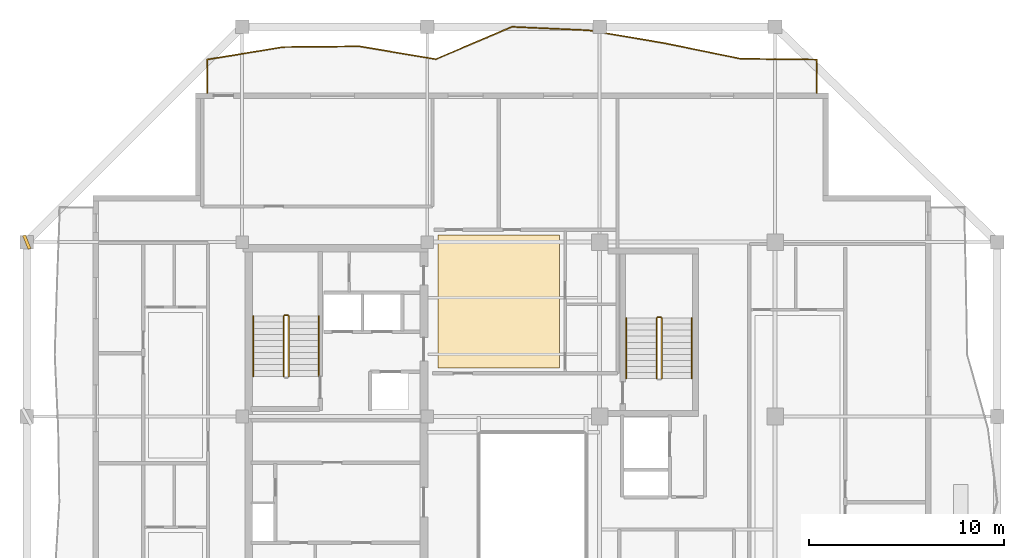
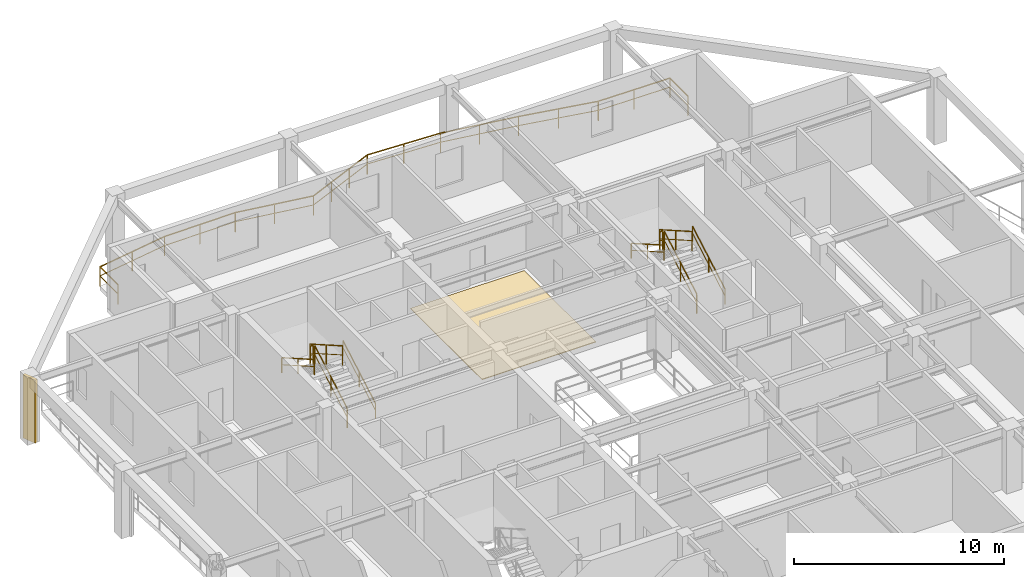
# One storey, part 10 of 11: 11 railings, 1 covering, 1 shading device.
"""IFC4 building model written with IfcOpenShell, lengths in metres."""

from ifc_helpers import new_model, si_unit, direction, frame, origin, origin_2d, place, context, subcontext, project, spatial, polyline, rectangle, outline, extrude, material, layer, layer_set, type_object, element, save


model = new_model("IFC4")

# Units and contexts
model_context = context("Model", 3, precision=1e-05, world=origin(), true_north=direction((0.0, 1.0)))
body_context = subcontext(model_context, "Body", "Model", "MODEL_VIEW")
ifc_project = project(units=[si_unit("LENGTHUNIT", "METRE"), si_unit("AREAUNIT", "SQUARE_METRE"), si_unit("VOLUMEUNIT", "CUBIC_METRE"), si_unit("PLANEANGLEUNIT", "RADIAN"), si_unit("MASSUNIT", "GRAM", prefix="KILO")], contexts=[model_context])

# Site, building, storey
site_placement = place(None, origin())
site = spatial("IfcSite", under=ifc_project, at=site_placement, CompositionType="ELEMENT")
building_placement = place(site_placement, origin())
building = spatial("IfcBuilding", under=site, at=building_placement, Name="Kundavana Baori Tower", CompositionType="ELEMENT")
storey_placement = place(building_placement, frame((0.0, 0.0, 253.10009765625)))
storey = spatial("IfcBuildingStorey", under=building, at=storey_placement, Name="L62", CompositionType="ELEMENT", Elevation=253.10009765625)

# Covering
ifc_material_1 = material(Name="Honed Kota Stone and Terrazzo Flooring", Category="masonry")
ifc_layer = layer(ifc_material_1, 0.0400390625, Name="COV-FLR-TERR-40")
ifc_layer_set = layer_set([ifc_layer], Name="Honed Kota Stone and Terrazzo Flooring")
covering_type = type_object("IfcCoveringType", Name="COV-FLR-TERR-40", PredefinedType="FLOORING", material=ifc_layer_set)
covering_placement = place(storey_placement, origin())
element("IfcCovering", 1, at=covering_placement, inside=storey, type_object=covering_type, Name="L62 Room Finished Stone Flooring 4", PredefinedType="FLOORING", context=body_context, shape_type="SweptSolid", body=[
    extrude(outline(polyline([(25.5, 35.5), (31.75, 35.5), (31.75, 42.31005859375), (25.5, 42.31005859375), (25.5, 35.5)])), origin(), (0.0, 0.0, 1.0), 0.039794921875),
])

# Railings
ifc_material_2 = material(Name="Architectural Patinated Bronze Metalwork")
railing_type_1 = type_object("IfcRailingType", Name="RL-BAL-1150", PredefinedType="BALUSTRADE", material=ifc_material_2)
railing_1_placement = place(storey_placement, frame((13.64990234375, 49.60009765625, 0.0)))
element("IfcRailing", 2, at=railing_1_placement, inside=storey, type_object=railing_type_1, Name="L62 Loggia Balcony Balustrade N", PredefinedType="BALUSTRADE", context=body_context, shape_type="SweptSolid", body=[
    extrude(rectangle(XDim=0.048095703125, YDim=0.048095703125, at=origin_2d()), frame((0.0, 0.0, 1.1259765625), z_axis=(0.0, 1.0, 0.0), x_axis=(-1.0, 0.0, 0.0)), (0.0, 0.0, 1.0), 1.719970703125),
    extrude(rectangle(XDim=0.03125, YDim=0.03125, at=origin_2d()), frame((0.0, 0.0, 0.597900390625), z_axis=(0.0, 1.0, 0.0), x_axis=(-1.0, 0.0, 0.0)), (0.0, 0.0, 1.0), 1.719970703125),
    extrude(rectangle(XDim=0.048095703125, YDim=0.048095703125, at=origin_2d()), frame((0.0, 1.719970703125, 1.1259765625), z_axis=(0.986806866027, 0.161901850398, 0.0), x_axis=(-0.161901850398, 0.986806866027, 0.0)), (0.0, 0.0, 1.0), 3.96435546875),
    extrude(rectangle(XDim=0.03125, YDim=0.03125, at=origin_2d()), frame((0.0, 1.719970703125, 0.597900390625), z_axis=(0.986806866027, 0.161901850398, 0.0), x_axis=(-0.161901850398, 0.986806866027, 0.0)), (0.0, 0.0, 1.0), 3.96435546875),
    extrude(rectangle(XDim=0.048095703125, YDim=0.048095703125, at=origin_2d()), frame((3.912109375, 2.36181640625, 1.1259765625), z_axis=(0.999955035557, 0.009482977627, 0.0), x_axis=(-0.009482977627, 0.999955035557, 0.0)), (0.0, 0.0, 1.0), 3.913330078125),
    extrude(rectangle(XDim=0.03125, YDim=0.03125, at=origin_2d()), frame((3.912109375, 2.36181640625, 0.597900390625), z_axis=(0.999955035557, 0.009482977627, 0.0), x_axis=(-0.009482977627, 0.999955035557, 0.0)), (0.0, 0.0, 1.0), 3.913330078125),
    extrude(rectangle(XDim=0.048095703125, YDim=0.048095703125, at=origin_2d()), frame((7.8251953125, 2.39892578125, 1.1259765625), z_axis=(0.986023986339, -0.166603416423, 0.0), x_axis=(0.166603416423, 0.986023986339, 0.0)), (0.0, 0.0, 1.0), 3.96826171875),
    extrude(rectangle(XDim=0.03125, YDim=0.03125, at=origin_2d()), frame((7.8251953125, 2.39892578125, 0.597900390625), z_axis=(0.986023986339, -0.166603416423, 0.0), x_axis=(0.166603416423, 0.986023986339, 0.0)), (0.0, 0.0, 1.0), 3.96826171875),
    extrude(rectangle(XDim=0.048095703125, YDim=0.048095703125, at=origin_2d()), frame((11.738037109375, 1.73779296875, 1.1259765625), z_axis=(0.920376399955, 0.391033607769, 0.0), x_axis=(-0.391033607769, 0.920376399955, 0.0)), (0.0, 0.0, 1.0), 4.25048828125),
    extrude(rectangle(XDim=0.03125, YDim=0.03125, at=origin_2d()), frame((11.738037109375, 1.73779296875, 0.597900390625), z_axis=(0.920376399955, 0.391033607769, 0.0), x_axis=(-0.391033607769, 0.920376399955, 0.0)), (0.0, 0.0, 1.0), 4.25048828125),
    extrude(rectangle(XDim=0.048095703125, YDim=0.048095703125, at=origin_2d()), frame((15.650146484375, 3.39990234375, 1.1259765625), z_axis=(0.998978412332, -0.045189951266, 0.0), x_axis=(0.045189951266, 0.998978412332, 0.0)), (0.0, 0.0, 1.0), 3.916748046875),
    extrude(rectangle(XDim=0.03125, YDim=0.03125, at=origin_2d()), frame((15.650146484375, 3.39990234375, 0.597900390625), z_axis=(0.998978412332, -0.045189951266, 0.0), x_axis=(0.045189951266, 0.998978412332, 0.0)), (0.0, 0.0, 1.0), 3.916748046875),
    extrude(rectangle(XDim=0.048095703125, YDim=0.048095703125, at=origin_2d()), frame((19.56298828125, 3.222900390625, 1.1259765625), z_axis=(0.986028970493, -0.166573915572, 0.0), x_axis=(0.166573915572, 0.986028970493, 0.0)), (0.0, 0.0, 1.0), 3.967529296875),
    extrude(rectangle(XDim=0.03125, YDim=0.03125, at=origin_2d()), frame((19.56298828125, 3.222900390625, 0.597900390625), z_axis=(0.986028970493, -0.166573915572, 0.0), x_axis=(0.166573915572, 0.986028970493, 0.0)), (0.0, 0.0, 1.0), 3.967529296875),
    extrude(rectangle(XDim=0.048095703125, YDim=0.048095703125, at=origin_2d()), frame((23.47509765625, 2.56201171875, 1.1259765625), z_axis=(0.979636312736, -0.200780215082, 0.0), x_axis=(0.200780215082, 0.979636312736, 0.0)), (0.0, 0.0, 1.0), 3.994384765625),
    extrude(rectangle(XDim=0.03125, YDim=0.03125, at=origin_2d()), frame((23.47509765625, 2.56201171875, 0.597900390625), z_axis=(0.979636312736, -0.200780215082, 0.0), x_axis=(0.200780215082, 0.979636312736, 0.0)), (0.0, 0.0, 1.0), 3.994384765625),
    extrude(rectangle(XDim=0.048095703125, YDim=0.048095703125, at=origin_2d()), frame((27.38818359375, 1.760009765625, 1.1259765625), z_axis=(0.999947623568, -0.010234750687, 0.0), x_axis=(0.010234750687, 0.999947623568, 0.0)), (0.0, 0.0, 1.0), 3.912109375),
    extrude(rectangle(XDim=0.03125, YDim=0.03125, at=origin_2d()), frame((27.38818359375, 1.760009765625, 0.597900390625), z_axis=(0.999947623568, -0.010234750687, 0.0), x_axis=(0.010234750687, 0.999947623568, 0.0)), (0.0, 0.0, 1.0), 3.912109375),
    extrude(rectangle(XDim=0.048095703125, YDim=0.048095703125, at=origin_2d()), frame((31.300048828125, 1.719970703125, 1.1259765625), z_axis=(0.0, -1.0, 0.0), x_axis=(1.0, 0.0, 0.0)), (0.0, 0.0, 1.0), 1.719970703125),
    extrude(rectangle(XDim=0.03125, YDim=0.03125, at=origin_2d()), frame((31.300048828125, 1.719970703125, 0.597900390625), z_axis=(0.0, -1.0, 0.0), x_axis=(1.0, 0.0, 0.0)), (0.0, 0.0, 1.0), 1.719970703125),
    extrude(rectangle(XDim=0.0419921875, YDim=0.0419921875, at=origin_2d()), origin(), (0.0, 0.0, 1.0), 1.101806640625),
    extrude(rectangle(XDim=0.0419921875, YDim=0.0419921875, at=origin_2d()), frame((0.0, 1.719970703125, 0.0)), (0.0, 0.0, 1.0), 1.101806640625),
    extrude(rectangle(XDim=0.0419921875, YDim=0.0419921875, at=origin_2d()), frame((1.9560546875, 2.041015625, 0.0)), (0.0, 0.0, 1.0), 1.101806640625),
    extrude(rectangle(XDim=0.0419921875, YDim=0.0419921875, at=origin_2d()), frame((3.912109375, 2.36181640625, 0.0)), (0.0, 0.0, 1.0), 1.101806640625),
    extrude(rectangle(XDim=0.0419921875, YDim=0.0419921875, at=origin_2d()), frame((5.86865234375, 2.38037109375, 0.0)), (0.0, 0.0, 1.0), 1.101806640625),
    extrude(rectangle(XDim=0.0419921875, YDim=0.0419921875, at=origin_2d()), frame((7.8251953125, 2.39892578125, 0.0)), (0.0, 0.0, 1.0), 1.101806640625),
    extrude(rectangle(XDim=0.0419921875, YDim=0.0419921875, at=origin_2d()), frame((9.78173828125, 2.068359375, 0.0)), (0.0, 0.0, 1.0), 1.101806640625),
    extrude(rectangle(XDim=0.0419921875, YDim=0.0419921875, at=origin_2d()), frame((11.738037109375, 1.73779296875, 0.0)), (0.0, 0.0, 1.0), 1.101806640625),
    extrude(rectangle(XDim=0.0419921875, YDim=0.0419921875, at=origin_2d()), frame((13.0419921875, 2.291748046875, 0.0)), (0.0, 0.0, 1.0), 1.101806640625),
    extrude(rectangle(XDim=0.0419921875, YDim=0.0419921875, at=origin_2d()), frame((14.34619140625, 2.845947265625, 0.0)), (0.0, 0.0, 1.0), 1.101806640625),
    extrude(rectangle(XDim=0.0419921875, YDim=0.0419921875, at=origin_2d()), frame((15.650146484375, 3.39990234375, 0.0)), (0.0, 0.0, 1.0), 1.101806640625),
    extrude(rectangle(XDim=0.0419921875, YDim=0.0419921875, at=origin_2d()), frame((17.6064453125, 3.3115234375, 0.0)), (0.0, 0.0, 1.0), 1.101806640625),
    extrude(rectangle(XDim=0.0419921875, YDim=0.0419921875, at=origin_2d()), frame((19.56298828125, 3.222900390625, 0.0)), (0.0, 0.0, 1.0), 1.101806640625),
    extrude(rectangle(XDim=0.0419921875, YDim=0.0419921875, at=origin_2d()), frame((21.51904296875, 2.892578125, 0.0)), (0.0, 0.0, 1.0), 1.101806640625),
    extrude(rectangle(XDim=0.0419921875, YDim=0.0419921875, at=origin_2d()), frame((23.47509765625, 2.56201171875, 0.0)), (0.0, 0.0, 1.0), 1.101806640625),
    extrude(rectangle(XDim=0.0419921875, YDim=0.0419921875, at=origin_2d()), frame((25.431640625, 2.1611328125, 0.0)), (0.0, 0.0, 1.0), 1.101806640625),
    extrude(rectangle(XDim=0.0419921875, YDim=0.0419921875, at=origin_2d()), frame((27.38818359375, 1.760009765625, 0.0)), (0.0, 0.0, 1.0), 1.101806640625),
    extrude(rectangle(XDim=0.0419921875, YDim=0.0419921875, at=origin_2d()), frame((29.34423828125, 1.739990234375, 0.0)), (0.0, 0.0, 1.0), 1.101806640625),
    extrude(rectangle(XDim=0.0419921875, YDim=0.0419921875, at=origin_2d()), frame((31.300048828125, 1.719970703125, 0.0)), (0.0, 0.0, 1.0), 1.101806640625),
    extrude(rectangle(XDim=0.0419921875, YDim=0.0419921875, at=origin_2d()), frame((31.300048828125, 0.0, 0.0)), (0.0, 0.0, 1.0), 1.101806640625),
])
ifc_material_3 = material(Name="Architectural Patinated Bronze Metalwork")
railing_type_2 = type_object("IfcRailingType", Name="RL-GRD-1150", PredefinedType="GUARDRAIL", material=ifc_material_3)
railing_2_placement = place(storey_placement, frame((17.840087890625, 35.050048828125, 0.17724609375)))
element("IfcRailing", 3, at=railing_2_placement, inside=storey, type_object=railing_type_2, Name="L62 ST2 stair guard 1", PredefinedType="GUARDRAIL", context=body_context, shape_type="SweptSolid", body=[
    extrude(rectangle(XDim=0.048095703125, YDim=0.048095703125, at=origin_2d()), frame((0.0, 0.0, 1.1259765625), z_axis=(0.0, 0.868079009454, 0.496426060301), x_axis=(-1.0, 0.0, 0.0)), (0.0, 0.0, 1.0), 3.571044921875),
    extrude(rectangle(XDim=0.03125, YDim=0.03125, at=origin_2d()), frame((0.0, 0.0, 0.597900390625), z_axis=(0.0, 0.868079009454, 0.496426060301), x_axis=(-1.0, 0.0, 0.0)), (0.0, 0.0, 1.0), 3.571044921875),
    extrude(rectangle(XDim=0.0419921875, YDim=0.0419921875, at=origin_2d()), origin(), (0.0, 0.0, 1.0), 1.101806640625),
    extrude(rectangle(XDim=0.0419921875, YDim=0.0419921875, at=origin_2d()), frame((0.0, 1.5498046875, 0.88623046875)), (0.0, 0.0, 1.0), 1.101806640625),
    extrude(rectangle(XDim=0.0419921875, YDim=0.0419921875, at=origin_2d()), frame((0.0, 3.099853515625, 1.772705078125)), (0.0, 0.0, 1.0), 1.101806640625),
])
railing_3_placement = place(storey_placement, frame((17.7900390625, 38.199951171875, 1.949951171875)))
element("IfcRailing", 4, at=railing_3_placement, inside=storey, type_object=railing_type_2, Name="L62 ST2 stair guard 2", PredefinedType="GUARDRAIL", context=body_context, shape_type="SweptSolid", body=[
    extrude(rectangle(XDim=0.048095703125, YDim=0.048095703125, at=origin_2d()), frame((0.0, 0.0, 1.1259765625), z_axis=(-1.0, 0.0, 0.0), x_axis=(0.0, -1.0, 0.0)), (0.0, 0.0, 1.0), 0.16015625),
    extrude(rectangle(XDim=0.03125, YDim=0.03125, at=origin_2d()), frame((0.0, 0.0, 0.597900390625), z_axis=(-1.0, 0.0, 0.0), x_axis=(0.0, -1.0, 0.0)), (0.0, 0.0, 1.0), 0.16015625),
    extrude(rectangle(XDim=0.0419921875, YDim=0.0419921875, at=origin_2d()), origin(), (0.0, 0.0, 1.0), 1.101806640625),
    extrude(rectangle(XDim=0.0419921875, YDim=0.0419921875, at=origin_2d()), frame((-0.16015625, 0.0, 0.0)), (0.0, 0.0, 1.0), 1.101806640625),
])
railing_4_placement = place(storey_placement, frame((17.580078125, 38.14990234375, 2.127197265625)))
element("IfcRailing", 5, at=railing_4_placement, inside=storey, type_object=railing_type_2, Name="L62 ST2 stair guard 3", PredefinedType="GUARDRAIL", context=body_context, shape_type="SweptSolid", body=[
    extrude(rectangle(XDim=0.048095703125, YDim=0.048095703125, at=origin_2d()), frame((0.0, 0.0, 1.1259765625), z_axis=(0.0, -0.868079009454, 0.496426060301), x_axis=(1.0, 0.0, 0.0)), (0.0, 0.0, 1.0), 3.571044921875),
    extrude(rectangle(XDim=0.03125, YDim=0.03125, at=origin_2d()), frame((0.0, 0.0, 0.597900390625), z_axis=(0.0, -0.868079009454, 0.496426060301), x_axis=(1.0, 0.0, 0.0)), (0.0, 0.0, 1.0), 3.571044921875),
    extrude(rectangle(XDim=0.0419921875, YDim=0.0419921875, at=origin_2d()), origin(), (0.0, 0.0, 1.0), 1.101806640625),
    extrude(rectangle(XDim=0.0419921875, YDim=0.0419921875, at=origin_2d()), frame((0.0, -1.5498046875, 0.88623046875)), (0.0, 0.0, 1.0), 1.101806640625),
    extrude(rectangle(XDim=0.0419921875, YDim=0.0419921875, at=origin_2d()), frame((0.0, -3.099853515625, 1.772705078125)), (0.0, 0.0, 1.0), 1.101806640625),
])
railing_5_placement = place(storey_placement, frame((36.97998046875, 34.949951171875, 0.17724609375)))
element("IfcRailing", 6, at=railing_5_placement, inside=storey, type_object=railing_type_2, Name="L62 ST3 stair guard 1", PredefinedType="GUARDRAIL", context=body_context, shape_type="SweptSolid", body=[
    extrude(rectangle(XDim=0.048095703125, YDim=0.048095703125, at=origin_2d()), frame((0.0, 0.0, 1.1259765625), z_axis=(0.0, 0.868095856688, 0.496396599103), x_axis=(-1.0, 0.0, 0.0)), (0.0, 0.0, 1.0), 3.571044921875),
    extrude(rectangle(XDim=0.03125, YDim=0.03125, at=origin_2d()), frame((0.0, 0.0, 0.597900390625), z_axis=(0.0, 0.868095856688, 0.496396599103), x_axis=(-1.0, 0.0, 0.0)), (0.0, 0.0, 1.0), 3.571044921875),
    extrude(rectangle(XDim=0.0419921875, YDim=0.0419921875, at=origin_2d()), origin(), (0.0, 0.0, 1.0), 1.101806640625),
    extrude(rectangle(XDim=0.0419921875, YDim=0.0419921875, at=origin_2d()), frame((0.0, 1.550048828125, 0.88623046875)), (0.0, 0.0, 1.0), 1.101806640625),
    extrude(rectangle(XDim=0.0419921875, YDim=0.0419921875, at=origin_2d()), frame((0.0, 3.10009765625, 1.772705078125)), (0.0, 0.0, 1.0), 1.101806640625),
])
railing_6_placement = place(storey_placement, frame((36.929931640625, 38.10009765625, 1.949951171875)))
element("IfcRailing", 7, at=railing_6_placement, inside=storey, type_object=railing_type_2, Name="L62 ST3 stair guard 2", PredefinedType="GUARDRAIL", context=body_context, shape_type="SweptSolid", body=[
    extrude(rectangle(XDim=0.048095703125, YDim=0.048095703125, at=origin_2d()), frame((0.0, 0.0, 1.1259765625), z_axis=(-1.0, 0.0, 0.0), x_axis=(0.0, -1.0, 0.0)), (0.0, 0.0, 1.0), 0.159912109375),
    extrude(rectangle(XDim=0.03125, YDim=0.03125, at=origin_2d()), frame((0.0, 0.0, 0.597900390625), z_axis=(-1.0, 0.0, 0.0), x_axis=(0.0, -1.0, 0.0)), (0.0, 0.0, 1.0), 0.159912109375),
    extrude(rectangle(XDim=0.0419921875, YDim=0.0419921875, at=origin_2d()), origin(), (0.0, 0.0, 1.0), 1.101806640625),
    extrude(rectangle(XDim=0.0419921875, YDim=0.0419921875, at=origin_2d()), frame((-0.159912109375, 0.0, 0.0)), (0.0, 0.0, 1.0), 1.101806640625),
])
railing_7_placement = place(storey_placement, frame((36.719970703125, 38.050048828125, 2.127197265625)))
element("IfcRailing", 8, at=railing_7_placement, inside=storey, type_object=railing_type_2, Name="L62 ST3 stair guard 3", PredefinedType="GUARDRAIL", context=body_context, shape_type="SweptSolid", body=[
    extrude(rectangle(XDim=0.048095703125, YDim=0.048095703125, at=origin_2d()), frame((0.0, 0.0, 1.1259765625), z_axis=(0.0, -0.868095856688, 0.496396599103), x_axis=(1.0, 0.0, 0.0)), (0.0, 0.0, 1.0), 3.571044921875),
    extrude(rectangle(XDim=0.03125, YDim=0.03125, at=origin_2d()), frame((0.0, 0.0, 0.597900390625), z_axis=(0.0, -0.868095856688, 0.496396599103), x_axis=(1.0, 0.0, 0.0)), (0.0, 0.0, 1.0), 3.571044921875),
    extrude(rectangle(XDim=0.0419921875, YDim=0.0419921875, at=origin_2d()), origin(), (0.0, 0.0, 1.0), 1.101806640625),
    extrude(rectangle(XDim=0.0419921875, YDim=0.0419921875, at=origin_2d()), frame((0.0, -1.550048828125, 0.88623046875)), (0.0, 0.0, 1.0), 1.101806640625),
    extrude(rectangle(XDim=0.0419921875, YDim=0.0419921875, at=origin_2d()), frame((0.0, -3.10009765625, 1.772705078125)), (0.0, 0.0, 1.0), 1.101806640625),
])
ifc_material_4 = material(Name="Architectural Patinated Bronze Metalwork")
railing_type_3 = type_object("IfcRailingType", Name="RL-HND-920", PredefinedType="HANDRAIL", material=ifc_material_4)
railing_8_placement = place(storey_placement, frame((19.389892578125, 35.050048828125, 0.17724609375)))
element("IfcRailing", 9, at=railing_8_placement, inside=storey, type_object=railing_type_3, Name="L62 ST2 stair handrail 1", PredefinedType="HANDRAIL", context=body_context, shape_type="SweptSolid", body=[
    extrude(rectangle(XDim=0.048095703125, YDim=0.048095703125, at=origin_2d()), frame((0.0, 0.0, 0.8759765625), z_axis=(0.0, 0.868079009454, 0.496426060301), x_axis=(-1.0, 0.0, 0.0)), (0.0, 0.0, 1.0), 3.571044921875),
    extrude(rectangle(XDim=0.03125, YDim=0.03125, at=origin_2d()), frame((0.0, 0.0, 0.468017578125), z_axis=(0.0, 0.868079009454, 0.496426060301), x_axis=(-1.0, 0.0, 0.0)), (0.0, 0.0, 1.0), 3.571044921875),
    extrude(rectangle(XDim=0.0419921875, YDim=0.0419921875, at=origin_2d()), origin(), (0.0, 0.0, 1.0), 0.851806640625),
    extrude(rectangle(XDim=0.0419921875, YDim=0.0419921875, at=origin_2d()), frame((0.0, 1.5498046875, 0.88623046875)), (0.0, 0.0, 1.0), 0.851806640625),
    extrude(rectangle(XDim=0.0419921875, YDim=0.0419921875, at=origin_2d()), frame((0.0, 3.099853515625, 1.772705078125)), (0.0, 0.0, 1.0), 0.851806640625),
])
railing_9_placement = place(storey_placement, frame((16.030029296875, 38.14990234375, 2.127197265625)))
element("IfcRailing", 10, at=railing_9_placement, inside=storey, type_object=railing_type_3, Name="L62 ST2 stair handrail 2", PredefinedType="HANDRAIL", context=body_context, shape_type="SweptSolid", body=[
    extrude(rectangle(XDim=0.048095703125, YDim=0.048095703125, at=origin_2d()), frame((0.0, 0.0, 0.8759765625), z_axis=(0.0, -0.868079009454, 0.496426060301), x_axis=(1.0, 0.0, 0.0)), (0.0, 0.0, 1.0), 3.571044921875),
    extrude(rectangle(XDim=0.03125, YDim=0.03125, at=origin_2d()), frame((0.0, 0.0, 0.468017578125), z_axis=(0.0, -0.868079009454, 0.496426060301), x_axis=(1.0, 0.0, 0.0)), (0.0, 0.0, 1.0), 3.571044921875),
    extrude(rectangle(XDim=0.0419921875, YDim=0.0419921875, at=origin_2d()), origin(), (0.0, 0.0, 1.0), 0.851806640625),
    extrude(rectangle(XDim=0.0419921875, YDim=0.0419921875, at=origin_2d()), frame((0.0, -1.5498046875, 0.88623046875)), (0.0, 0.0, 1.0), 0.851806640625),
    extrude(rectangle(XDim=0.0419921875, YDim=0.0419921875, at=origin_2d()), frame((0.0, -3.099853515625, 1.772705078125)), (0.0, 0.0, 1.0), 0.851806640625),
])
railing_10_placement = place(storey_placement, frame((38.530029296875, 34.949951171875, 0.17724609375)))
element("IfcRailing", 11, at=railing_10_placement, inside=storey, type_object=railing_type_3, Name="L62 ST3 stair handrail 1", PredefinedType="HANDRAIL", context=body_context, shape_type="SweptSolid", body=[
    extrude(rectangle(XDim=0.048095703125, YDim=0.048095703125, at=origin_2d()), frame((0.0, 0.0, 0.8759765625), z_axis=(0.0, 0.868095856688, 0.496396599103), x_axis=(-1.0, 0.0, 0.0)), (0.0, 0.0, 1.0), 3.571044921875),
    extrude(rectangle(XDim=0.03125, YDim=0.03125, at=origin_2d()), frame((0.0, 0.0, 0.468017578125), z_axis=(0.0, 0.868095856688, 0.496396599103), x_axis=(-1.0, 0.0, 0.0)), (0.0, 0.0, 1.0), 3.571044921875),
    extrude(rectangle(XDim=0.0419921875, YDim=0.0419921875, at=origin_2d()), origin(), (0.0, 0.0, 1.0), 0.851806640625),
    extrude(rectangle(XDim=0.0419921875, YDim=0.0419921875, at=origin_2d()), frame((0.0, 1.550048828125, 0.88623046875)), (0.0, 0.0, 1.0), 0.851806640625),
    extrude(rectangle(XDim=0.0419921875, YDim=0.0419921875, at=origin_2d()), frame((0.0, 3.10009765625, 1.772705078125)), (0.0, 0.0, 1.0), 0.851806640625),
])
railing_11_placement = place(storey_placement, frame((35.169921875, 38.050048828125, 2.127197265625)))
element("IfcRailing", 12, at=railing_11_placement, inside=storey, type_object=railing_type_3, Name="L62 ST3 stair handrail 2", PredefinedType="HANDRAIL", context=body_context, shape_type="SweptSolid", body=[
    extrude(rectangle(XDim=0.048095703125, YDim=0.048095703125, at=origin_2d()), frame((0.0, 0.0, 0.8759765625), z_axis=(0.0, -0.868095856688, 0.496396599103), x_axis=(1.0, 0.0, 0.0)), (0.0, 0.0, 1.0), 3.571044921875),
    extrude(rectangle(XDim=0.03125, YDim=0.03125, at=origin_2d()), frame((0.0, 0.0, 0.468017578125), z_axis=(0.0, -0.868095856688, 0.496396599103), x_axis=(1.0, 0.0, 0.0)), (0.0, 0.0, 1.0), 3.571044921875),
    extrude(rectangle(XDim=0.0419921875, YDim=0.0419921875, at=origin_2d()), origin(), (0.0, 0.0, 1.0), 0.851806640625),
    extrude(rectangle(XDim=0.0419921875, YDim=0.0419921875, at=origin_2d()), frame((0.0, -1.550048828125, 0.88623046875)), (0.0, 0.0, 1.0), 0.851806640625),
    extrude(rectangle(XDim=0.0419921875, YDim=0.0419921875, at=origin_2d()), frame((0.0, -3.10009765625, 1.772705078125)), (0.0, 0.0, 1.0), 0.851806640625),
])

# Shading device
ifc_material_5 = material(Name="Red-Buff Dholpur Sandstone Cladding on Concrete C40/50", Category="masonry")
shading_device_type = type_object("IfcShadingDeviceType", Name="SHD-FIN-750", PredefinedType="JALOUSIE", material=ifc_material_5)
shading_device_placement = place(storey_placement, frame((4.39990234375, 41.949951171875, 0.0), z_axis=(0.0, 0.0, 1.0), x_axis=(0.926462953239, 0.376385967161, 0.0)))
element("IfcShadingDevice", 13, at=shading_device_placement, inside=storey, type_object=shading_device_type, Name="L62 Sweeping Dholpur Sandstone Facade Fin 8", PredefinedType="JALOUSIE", context=body_context, shape_type="SweptSolid", body=[
    extrude(rectangle(XDim=0.159912109375, YDim=0.75, at=origin_2d()), origin(), (0.0, 0.0, 1.0), 3.659912109375),
])

save(model, "model.ifc")
